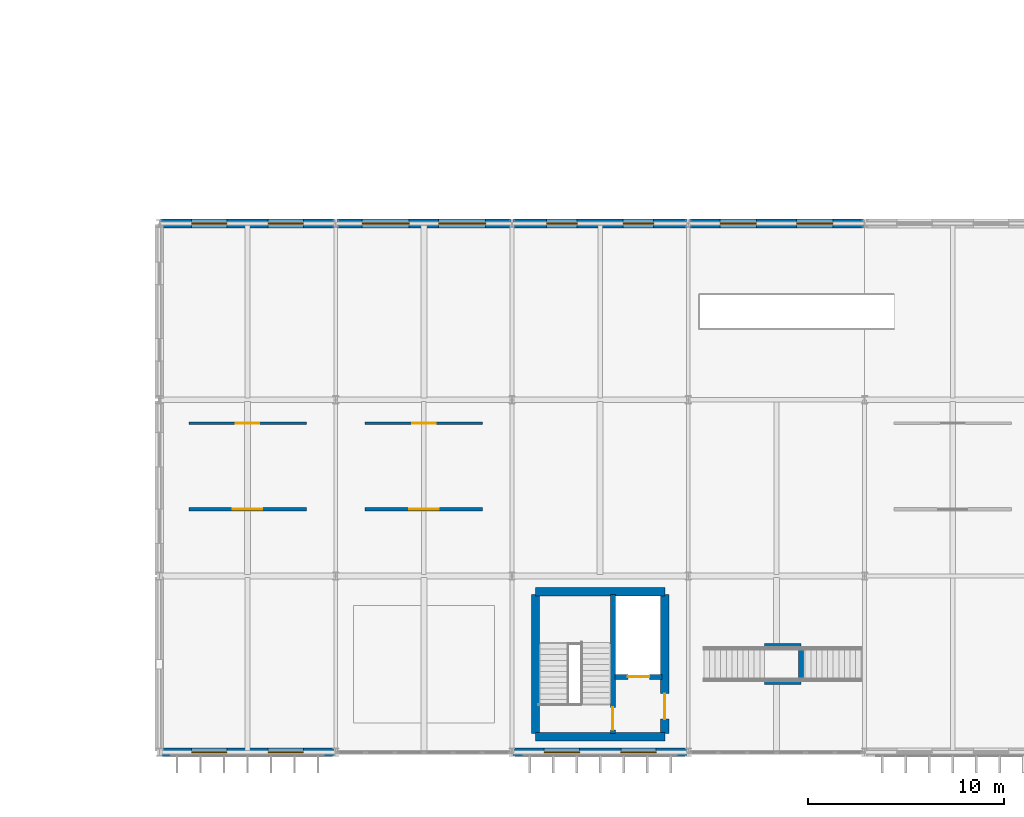
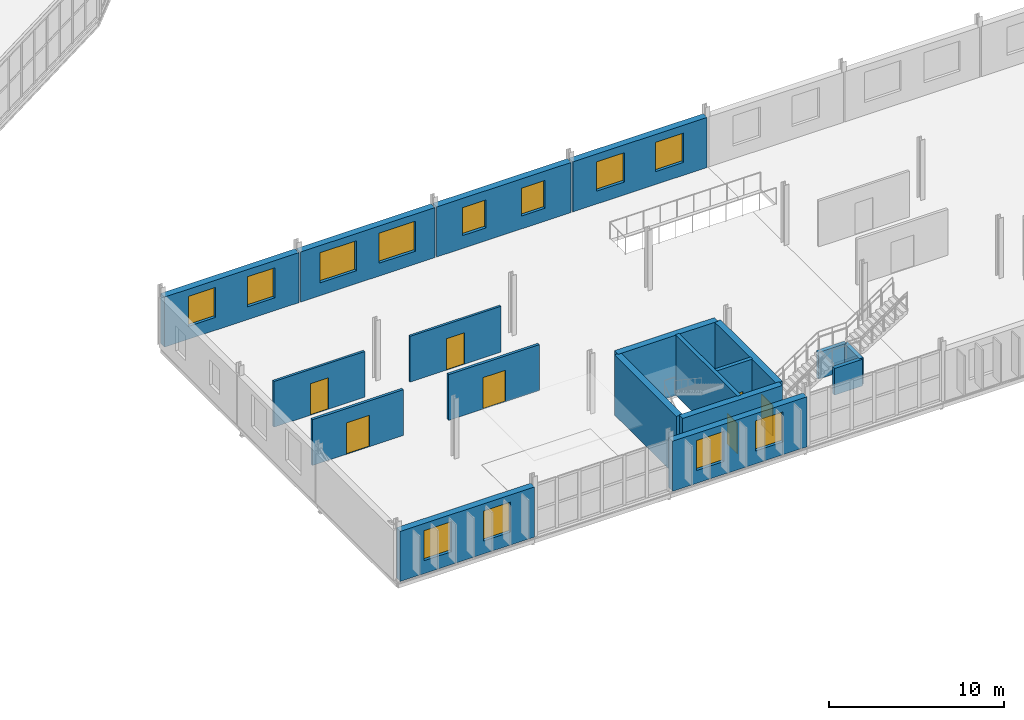
# One storey, part 139 of 161: 19 walls, 12 windows, 7 doors, 19 openings.
"""IFC4 building model written with IfcOpenShell, lengths in metres."""

import ifcopenshell
import ifcopenshell.guid

model = None  # the IFC model being written
_history = None  # IfcOwnerHistory: only IFC2X3 demands one
_inside = {}  # id of a spatial element -> (the spatial element, [elements in it])
_under = {}  # id of a project, library or spatial element -> (it, [spatial elements below it])
_declared = {}  # id of a project -> (the project, [libraries it declares])
_typed = {}  # id of a type object -> (the type object, [elements of that type])
_made_of = {}  # id of a material, layer set ... -> (it, [elements and type objects made of it])


def new_model(schema):
    """Start an empty IFC model of exactly this schema.

    Asked for "IFC4X3", IfcOpenShell would pick the latest addendum, in which some entities
    have other attributes; the version numbers below select the first issue.
    IFC2X3 requires an IfcOwnerHistory on every rooted entity: one is made here for all.
    """
    global model, _history
    if schema == "IFC4X3":
        model = ifcopenshell.file(schema_version=(4, 3, 0, 0))
    else:
        model = ifcopenshell.file(schema=schema)
    _inside.clear()
    _under.clear()
    _declared.clear()
    _typed.clear()
    _made_of.clear()
    _history = None
    if model.schema == "IFC2X3":
        org = make("IfcOrganization", Name="unknown")
        user = make(
            "IfcPersonAndOrganization",
            ThePerson=make("IfcPerson", FamilyName="unknown"),
            TheOrganization=org,
        )
        app = make(
            "IfcApplication",
            ApplicationDeveloper=org,
            Version="unknown",
            ApplicationFullName="unknown",
            ApplicationIdentifier="unknown",
        )
        _history = make(
            "IfcOwnerHistory",
            OwningUser=user,
            OwningApplication=app,
            ChangeAction="ADDED",
            CreationDate=0,
        )
    return model


def make(cls, **values):
    """One entity of the class cls with the attributes given. An attribute that is None is left unset."""
    return model.create_entity(
        cls, **{name: value for name, value in values.items() if value is not None}
    )


def rooted(cls, **values):
    """An entity with a GlobalId (a new one), such as an element, a storey or a relation."""
    return make(cls, GlobalId=ifcopenshell.guid.new(), OwnerHistory=_history, **values)


def si_unit(unit_type, name, prefix=None):
    """IfcSIUnit, for example si_unit("LENGTHUNIT", "METRE", prefix="MILLI")."""
    return make("IfcSIUnit", UnitType=unit_type, Prefix=prefix, Name=name)


def assignment(units):
    """IfcUnitAssignment: the units of a project."""
    return None if units is None else make("IfcUnitAssignment", Units=units)


def point(xyz):
    """IfcCartesianPoint."""
    return None if xyz is None else make("IfcCartesianPoint", Coordinates=xyz)


def direction(xyz):
    """IfcDirection."""
    return None if xyz is None else make("IfcDirection", DirectionRatios=xyz)


def frame(location, z_axis=None, x_axis=None):
    """IfcAxis2Placement3D, a coordinate frame: its origin and axes. An axis left out is left unset."""
    return make(
        "IfcAxis2Placement3D",
        Location=point(location),
        Axis=direction(z_axis),
        RefDirection=direction(x_axis),
    )


def frame_2d(location, x_axis=None):
    """IfcAxis2Placement2D, a coordinate frame in the plane: its origin and x axis."""
    return make(
        "IfcAxis2Placement2D", Location=point(location), RefDirection=direction(x_axis)
    )


def origin():
    """The frame at (0, 0, 0) with its axes left unset."""
    return frame((0.0, 0.0, 0.0))


def place(relative_to, where):
    """IfcLocalPlacement: puts the frame where relative to a parent placement (None: the world)."""
    return make(
        "IfcLocalPlacement", PlacementRelTo=relative_to, RelativePlacement=where
    )


def context(
    kind, dimensions, precision=None, world=None, true_north=None, identifier=None
):
    """IfcGeometricRepresentationContext, for example the 3D "Model" context."""
    return make(
        "IfcGeometricRepresentationContext",
        ContextIdentifier=identifier,
        ContextType=kind,
        CoordinateSpaceDimension=dimensions,
        Precision=precision,
        WorldCoordinateSystem=world,
        TrueNorth=true_north,
    )


def subcontext(parent, identifier, kind, view, scale=None):
    """IfcGeometricRepresentationSubContext, for example "Body" below "Model"."""
    return make(
        "IfcGeometricRepresentationSubContext",
        ContextIdentifier=identifier,
        ContextType=kind,
        ParentContext=parent,
        TargetScale=scale,
        TargetView=view,
    )


def project(units=None, contexts=None):
    """IfcProject with its units and contexts."""
    return rooted(
        "IfcProject",
        Name="project",
        RepresentationContexts=contexts,
        UnitsInContext=assignment(units),
    )


def spatial(cls, under=None, at=None, **own):
    """A site, building, storey or space (cls), placed at a placement, below another one or the project."""
    s = rooted(cls, ObjectPlacement=at, **own)
    if under is not None:
        _under.setdefault(under.id(), (under, []))[1].append(s)
    return s


def profile(cls, at=None, kind="AREA", **sizes):
    """A parametric profile (cls). Its sizes go by their IFC names, for example OverallWidth=200.0."""
    return make(cls, ProfileType=kind, Position=at, **sizes)


def rectangle(**sizes):
    """IfcRectangleProfileDef."""
    return profile("IfcRectangleProfileDef", **sizes)


def extrude(swept, where, along, depth):
    """IfcExtrudedAreaSolid: the profile swept, set in the frame where, extruded along a direction by depth."""
    return make(
        "IfcExtrudedAreaSolid",
        SweptArea=swept,
        Position=where,
        ExtrudedDirection=direction(along),
        Depth=depth,
    )


def shape(context_of_items, identifier, shape_type, items):
    """IfcShapeRepresentation: the items that make up one representation, for example the "Body"."""
    return make(
        "IfcShapeRepresentation",
        ContextOfItems=context_of_items,
        RepresentationIdentifier=identifier,
        RepresentationType=shape_type,
        Items=items,
    )


def material(Name=None, Category=None):
    """IfcMaterial."""
    return make("IfcMaterial", Name=Name, Category=Category)


def layer(
    of_material, thickness, ventilated=None, Name=None, Category=None, Priority=None
):
    """IfcMaterialLayer: one layer of a wall or slab, of a material (None: an air gap)."""
    return make(
        "IfcMaterialLayer",
        Material=of_material,
        LayerThickness=thickness,
        IsVentilated=ventilated,
        Name=Name,
        Category=Category,
        Priority=Priority,
    )


def layer_set(layers, Name=None):
    """IfcMaterialLayerSet."""
    return make("IfcMaterialLayerSet", MaterialLayers=layers, LayerSetName=Name)


def made_of(thing, what):
    """Note that an element or type object is made of a material, layer set ...; save() writes the relation."""
    if what is not None:
        _made_of.setdefault(what.id(), (what, []))[1].append(thing)
    return thing


def type_object(cls, material=None, **own):
    """A type object (cls), such as IfcWallType, which elements share."""
    return made_of(rooted(cls, **own), material)


def element(
    cls,
    number,
    at=None,
    inside=None,
    cuts=None,
    type_object=None,
    material=None,
    context=None,
    identifier="Body",
    shape_type=None,
    held_by="IfcProductDefinitionShape",
    body=None,
    shapes=None,
    **own,
):
    """One element of the class cls, such as IfcWall. Its Tag is "e" and its number.

    at: its placement. inside: the storey or other place that contains it. cuts: it is an
    opening in that element (IfcRelVoidsElement). A single representation is given by context,
    identifier, shape_type and body (its items); several are given by shapes. held_by: the class
    of the entity that holds the representations. save() writes the other relations.
    """
    e = rooted(cls, Tag="e%d" % number, ObjectPlacement=at, **own)
    if body is not None:
        shapes = [shape(context, identifier, shape_type, body)]
    if shapes is not None:
        e.Representation = make(held_by, Representations=shapes)
    if inside is not None:
        _inside.setdefault(inside.id(), (inside, []))[1].append(e)
    if cuts is not None:
        rooted(
            "IfcRelVoidsElement", RelatingBuildingElement=cuts, RelatedOpeningElement=e
        )
    if type_object is not None:
        _typed.setdefault(type_object.id(), (type_object, []))[1].append(e)
    return made_of(e, material)


def fill(opening, filler):
    """IfcRelFillsElement: the door or window that sits in an opening."""
    return rooted(
        "IfcRelFillsElement",
        RelatingOpeningElement=opening,
        RelatedBuildingElement=filler,
    )


def aggregate(whole, parts):
    """IfcRelAggregates: a whole, such as a stair, and the parts it consists of."""
    return rooted("IfcRelAggregates", RelatingObject=whole, RelatedObjects=parts)


def save(model, path):
    """Write the relations noted so far, then the file.

    IfcRelAggregates (storeys below a building ...), IfcRelContainedInSpatialStructure (elements
    in a storey), IfcRelDefinesByType, IfcRelAssociatesMaterial and IfcRelDeclares: one each for
    every whole, place, type object, material and project.
    """
    for whole, parts in _under.values():
        aggregate(whole, parts)
    for where, things in _inside.values():
        rooted(
            "IfcRelContainedInSpatialStructure",
            RelatedElements=things,
            RelatingStructure=where,
        )
    for kind, things in _typed.values():
        rooted("IfcRelDefinesByType", RelatedObjects=things, RelatingType=kind)
    for what, things in _made_of.values():
        rooted("IfcRelAssociatesMaterial", RelatedObjects=things, RelatingMaterial=what)
    for by, libraries in _declared.values():
        rooted("IfcRelDeclares", RelatingContext=by, RelatedDefinitions=libraries)
    model.write(path)


model = new_model("IFC4")

# Units and contexts
model_context = context("Model", 3, precision=1e-05, world=origin(), true_north=direction((0.0, 1.0)))
body_context = subcontext(model_context, "Body", "Model", "MODEL_VIEW")
ifc_project = project(units=[si_unit("LENGTHUNIT", "METRE"), si_unit("AREAUNIT", "SQUARE_METRE"), si_unit("VOLUMEUNIT", "CUBIC_METRE"), si_unit("PLANEANGLEUNIT", "RADIAN"), si_unit("MASSUNIT", "GRAM", prefix="KILO")], contexts=[model_context])

# Site, building, storey
site_placement = place(None, origin())
site = spatial("IfcSite", under=ifc_project, at=site_placement, CompositionType="ELEMENT")
building_placement = place(site_placement, origin())
building = spatial("IfcBuilding", under=site, at=building_placement, Name="Kildeholm Park Wholesale Market", CompositionType="ELEMENT")
storey_placement = place(building_placement, frame((0.0, 0.0, 5.39990234375)))
storey = spatial("IfcBuildingStorey", under=building, at=storey_placement, Name="L01", CompositionType="ELEMENT", Elevation=5.39990234375)

# Wall, openings, windows
ifc_material_1 = material(Name="Insulated clinker brick and glazed ceramic mosaic facade wall", Category="masonry")
ifc_layer_1 = layer(ifc_material_1, 0.43994140625)
ifc_layer_set_1 = layer_set([ifc_layer_1], Name="Insulated clinker brick and glazed ceramic mosaic facade wall")
wall_type_1 = type_object("IfcWallType", Name="Exterior wall W-EX3 440 mm", PredefinedType="SOLIDWALL", material=ifc_layer_set_1)
wall_1_placement = place(storey_placement, frame((126.06005859375, 0.0, 0.0), z_axis=(0.0, 0.0, 1.0), x_axis=(1.0, 0.0, 0.0)))
wall_1 = element("IfcWall", 1, at=wall_1_placement, inside=storey, type_object=wall_type_1, Name="Exterior wall V5E-L01-S01.1 WL-0593", PredefinedType="SOLIDWALL", context=body_context, shape_type="SweptSolid", body=[
    extrude(rectangle(XDim=8.8798828125, YDim=0.43994140625, at=frame_2d((4.43994140625, 0.0))), origin(), (0.0, 0.0, 1.0), 3.5),
])
opening_1_placement = place(wall_1_placement, frame((1.5859375, 0.0, 0.89990234375)))
opening_1 = element("IfcOpeningElement", 2, at=opening_1_placement, cuts=wall_1, Name="Opening WN-02", PredefinedType="OPENING", context=body_context, shape_type="SweptSolid", body=[
    extrude(rectangle(XDim=1.800048828125, YDim=2.10009765625, at=frame_2d((0.89990234375, 1.050048828125))), frame((0.0, 0.22998046875, 0.0), z_axis=(0.0, -1.0, 0.0), x_axis=(1.0, 0.0, 0.0)), (0.0, 0.0, 1.0), 0.4599609375),
])
opening_2_placement = place(wall_1_placement, frame((5.493896484375, 0.0, 0.89990234375)))
opening_2 = element("IfcOpeningElement", 3, at=opening_2_placement, cuts=wall_1, Name="Opening WN-02", PredefinedType="OPENING", context=body_context, shape_type="SweptSolid", body=[
    extrude(rectangle(XDim=1.800048828125, YDim=2.10009765625, at=frame_2d((0.89990234375, 1.050048828125))), frame((0.0, 0.22998046875, 0.0), z_axis=(0.0, -1.0, 0.0), x_axis=(1.0, 0.0, 0.0)), (0.0, 0.0, 1.0), 0.4599609375),
])
ifc_material_2 = material(Name="Thermally broken aluminium and triple-glazed low-E glass", Category="aluminium")
window_type_1 = type_object("IfcWindowType", Name="Window WN-02 1800x2100", PartitioningType="DOUBLE_PANEL_VERTICAL", PredefinedType="WINDOW", material=ifc_material_2)
window_1_placement = place(opening_1_placement, origin())
window_1 = element("IfcWindow", 4, at=window_1_placement, inside=storey, type_object=window_type_1, Name="Window V5E-L01-S01.1.1 WIN-0380", OverallHeight=2.10009765625, OverallWidth=1.800048828125, PartitioningType="SINGLE_PANEL", PredefinedType="WINDOW", context=body_context, shape_type="SweptSolid", body=[
    extrude(rectangle(XDim=1.800048828125, YDim=2.10009765625, at=frame_2d((0.89990234375, 1.050048828125))), frame((0.0, 0.030029296875, 0.0), z_axis=(0.0, -1.0, 0.0), x_axis=(1.0, 0.0, 0.0)), (0.0, 0.0, 1.0), 0.06005859375),
])
fill(opening_1, window_1)
window_2_placement = place(opening_2_placement, origin())
window_2 = element("IfcWindow", 5, at=window_2_placement, inside=storey, type_object=window_type_1, Name="Window V5E-L01-S01.1.2 WIN-0381", OverallHeight=2.10009765625, OverallWidth=1.800048828125, PartitioningType="SINGLE_PANEL", PredefinedType="WINDOW", context=body_context, shape_type="SweptSolid", body=[
    extrude(rectangle(XDim=1.800048828125, YDim=2.10009765625, at=frame_2d((0.89990234375, 1.050048828125))), frame((0.0, 0.030029296875, 0.0), z_axis=(0.0, -1.0, 0.0), x_axis=(1.0, 0.0, 0.0)), (0.0, 0.0, 1.0), 0.06005859375),
])
fill(opening_2, window_2)

wall_2_placement = place(storey_placement, frame((144.06005859375, 0.0, 0.0), z_axis=(0.0, 0.0, 1.0), x_axis=(1.0, 0.0, 0.0)))
wall_2 = element("IfcWall", 6, at=wall_2_placement, inside=storey, type_object=wall_type_1, Name="Exterior wall V5E-L01-S03.1 WL-0594", PredefinedType="SOLIDWALL", context=body_context, shape_type="SweptSolid", body=[
    extrude(rectangle(XDim=8.8798828125, YDim=0.43994140625, at=frame_2d((4.43994140625, 0.0))), origin(), (0.0, 0.0, 1.0), 3.5),
])
opening_3_placement = place(wall_2_placement, frame((1.5859375, 0.0, 0.89990234375)))
opening_3 = element("IfcOpeningElement", 7, at=opening_3_placement, cuts=wall_2, Name="Opening WN-02", PredefinedType="OPENING", context=body_context, shape_type="SweptSolid", body=[
    extrude(rectangle(XDim=1.800048828125, YDim=2.10009765625, at=frame_2d((0.89990234375, 1.050048828125))), frame((0.0, 0.22998046875, 0.0), z_axis=(0.0, -1.0, 0.0), x_axis=(1.0, 0.0, 0.0)), (0.0, 0.0, 1.0), 0.4599609375),
])
opening_4_placement = place(wall_2_placement, frame((5.493896484375, 0.0, 0.89990234375)))
opening_4 = element("IfcOpeningElement", 8, at=opening_4_placement, cuts=wall_2, Name="Opening WN-02", PredefinedType="OPENING", context=body_context, shape_type="SweptSolid", body=[
    extrude(rectangle(XDim=1.800048828125, YDim=2.10009765625, at=frame_2d((0.89990234375, 1.050048828125))), frame((0.0, 0.22998046875, 0.0), z_axis=(0.0, -1.0, 0.0), x_axis=(1.0, 0.0, 0.0)), (0.0, 0.0, 1.0), 0.4599609375),
])
window_3_placement = place(opening_3_placement, origin())
window_3 = element("IfcWindow", 9, at=window_3_placement, inside=storey, type_object=window_type_1, Name="Window V5E-L01-S03.1.1 WIN-0382", OverallHeight=2.10009765625, OverallWidth=1.800048828125, PartitioningType="SINGLE_PANEL", PredefinedType="WINDOW", context=body_context, shape_type="SweptSolid", body=[
    extrude(rectangle(XDim=1.800048828125, YDim=2.10009765625, at=frame_2d((0.89990234375, 1.050048828125))), frame((0.0, 0.030029296875, 0.0), z_axis=(0.0, -1.0, 0.0), x_axis=(1.0, 0.0, 0.0)), (0.0, 0.0, 1.0), 0.06005859375),
])
fill(opening_3, window_3)
window_4_placement = place(opening_4_placement, origin())
window_4 = element("IfcWindow", 10, at=window_4_placement, inside=storey, type_object=window_type_1, Name="Window V5E-L01-S03.1.2 WIN-0383", OverallHeight=2.10009765625, OverallWidth=1.800048828125, PartitioningType="SINGLE_PANEL", PredefinedType="WINDOW", context=body_context, shape_type="SweptSolid", body=[
    extrude(rectangle(XDim=1.800048828125, YDim=2.10009765625, at=frame_2d((0.89990234375, 1.050048828125))), frame((0.0, 0.030029296875, 0.0), z_axis=(0.0, -1.0, 0.0), x_axis=(1.0, 0.0, 0.0)), (0.0, 0.0, 1.0), 0.06005859375),
])
fill(opening_4, window_4)

wall_3_placement = place(storey_placement, frame((126.06005859375, 27.0, 0.0), z_axis=(0.0, 0.0, 1.0), x_axis=(1.0, 0.0, 0.0)))
wall_3 = element("IfcWall", 11, at=wall_3_placement, inside=storey, type_object=wall_type_1, Name="Exterior wall V5E-L01-N.1 WL-0597", PredefinedType="SOLIDWALL", context=body_context, shape_type="SweptSolid", body=[
    extrude(rectangle(XDim=8.8798828125, YDim=0.43994140625, at=frame_2d((4.43994140625, 0.0))), origin(), (0.0, 0.0, 1.0), 3.5),
])
opening_5_placement = place(wall_3_placement, frame((1.5859375, 0.0, 0.89990234375)))
opening_5 = element("IfcOpeningElement", 12, at=opening_5_placement, cuts=wall_3, Name="Opening WN-02", PredefinedType="OPENING", context=body_context, shape_type="SweptSolid", body=[
    extrude(rectangle(XDim=1.800048828125, YDim=2.10009765625, at=frame_2d((0.89990234375, 1.050048828125))), frame((0.0, 0.22998046875, 0.0), z_axis=(0.0, -1.0, 0.0), x_axis=(1.0, 0.0, 0.0)), (0.0, 0.0, 1.0), 0.4599609375),
])
opening_6_placement = place(wall_3_placement, frame((5.493896484375, 0.0, 0.89990234375)))
opening_6 = element("IfcOpeningElement", 13, at=opening_6_placement, cuts=wall_3, Name="Opening WN-02", PredefinedType="OPENING", context=body_context, shape_type="SweptSolid", body=[
    extrude(rectangle(XDim=1.800048828125, YDim=2.10009765625, at=frame_2d((0.89990234375, 1.050048828125))), frame((0.0, 0.22998046875, 0.0), z_axis=(0.0, -1.0, 0.0), x_axis=(1.0, 0.0, 0.0)), (0.0, 0.0, 1.0), 0.4599609375),
])
window_5_placement = place(opening_5_placement, origin())
window_5 = element("IfcWindow", 14, at=window_5_placement, inside=storey, type_object=window_type_1, Name="Window V5E-L01-N.1.1 WIN-0388", OverallHeight=2.10009765625, OverallWidth=1.800048828125, PartitioningType="SINGLE_PANEL", PredefinedType="WINDOW", context=body_context, shape_type="SweptSolid", body=[
    extrude(rectangle(XDim=1.800048828125, YDim=2.10009765625, at=frame_2d((0.89990234375, 1.050048828125))), frame((0.0, 0.030029296875, 0.0), z_axis=(0.0, -1.0, 0.0), x_axis=(1.0, 0.0, 0.0)), (0.0, 0.0, 1.0), 0.06005859375),
])
fill(opening_5, window_5)
window_6_placement = place(opening_6_placement, origin())
window_6 = element("IfcWindow", 15, at=window_6_placement, inside=storey, type_object=window_type_1, Name="Window V5E-L01-N.1.2 WIN-0389", OverallHeight=2.10009765625, OverallWidth=1.800048828125, PartitioningType="SINGLE_PANEL", PredefinedType="WINDOW", context=body_context, shape_type="SweptSolid", body=[
    extrude(rectangle(XDim=1.800048828125, YDim=2.10009765625, at=frame_2d((0.89990234375, 1.050048828125))), frame((0.0, 0.030029296875, 0.0), z_axis=(0.0, -1.0, 0.0), x_axis=(1.0, 0.0, 0.0)), (0.0, 0.0, 1.0), 0.06005859375),
])
fill(opening_6, window_6)

wall_4_placement = place(storey_placement, frame((135.06005859375, 27.0, 0.0), z_axis=(0.0, 0.0, 1.0), x_axis=(1.0, 0.0, 0.0)))
wall_4 = element("IfcWall", 16, at=wall_4_placement, inside=storey, type_object=wall_type_1, Name="Exterior wall V5E-L01-N.2 WL-0598", PredefinedType="SOLIDWALL", context=body_context, shape_type="SweptSolid", body=[
    extrude(rectangle(XDim=8.8798828125, YDim=0.43994140625, at=frame_2d((4.43994140625, 0.0))), origin(), (0.0, 0.0, 1.0), 3.5),
])
opening_7_placement = place(wall_4_placement, frame((1.285888671875, 0.0, 0.89990234375)))
opening_7 = element("IfcOpeningElement", 17, at=opening_7_placement, cuts=wall_4, Name="Opening WN-04", PredefinedType="OPENING", context=body_context, shape_type="SweptSolid", body=[
    extrude(rectangle(XDim=2.39990234375, YDim=2.10009765625, at=frame_2d((1.199951171875, 1.050048828125))), frame((0.0, 0.22998046875, 0.0), z_axis=(0.0, -1.0, 0.0), x_axis=(1.0, 0.0, 0.0)), (0.0, 0.0, 1.0), 0.4599609375),
])
opening_8_placement = place(wall_4_placement, frame((5.194091796875, 0.0, 0.89990234375)))
opening_8 = element("IfcOpeningElement", 18, at=opening_8_placement, cuts=wall_4, Name="Opening WN-04", PredefinedType="OPENING", context=body_context, shape_type="SweptSolid", body=[
    extrude(rectangle(XDim=2.39990234375, YDim=2.10009765625, at=frame_2d((1.199951171875, 1.050048828125))), frame((0.0, 0.22998046875, 0.0), z_axis=(0.0, -1.0, 0.0), x_axis=(1.0, 0.0, 0.0)), (0.0, 0.0, 1.0), 0.4599609375),
])
window_type_2 = type_object("IfcWindowType", Name="Window WN-04 2400x2100", PartitioningType="TRIPLE_PANEL_VERTICAL", PredefinedType="WINDOW", material=ifc_material_2)
window_7_placement = place(opening_7_placement, origin())
window_7 = element("IfcWindow", 19, at=window_7_placement, inside=storey, type_object=window_type_2, Name="Window V5E-L01-N.2.1 WIN-0390", OverallHeight=2.10009765625, OverallWidth=2.39990234375, PartitioningType="SINGLE_PANEL", PredefinedType="WINDOW", context=body_context, shape_type="SweptSolid", body=[
    extrude(rectangle(XDim=2.39990234375, YDim=2.10009765625, at=frame_2d((1.199951171875, 1.050048828125))), frame((0.0, 0.030029296875, 0.0), z_axis=(0.0, -1.0, 0.0), x_axis=(1.0, 0.0, 0.0)), (0.0, 0.0, 1.0), 0.06005859375),
])
fill(opening_7, window_7)
window_8_placement = place(opening_8_placement, origin())
window_8 = element("IfcWindow", 20, at=window_8_placement, inside=storey, type_object=window_type_2, Name="Window V5E-L01-N.2.2 WIN-0391", OverallHeight=2.10009765625, OverallWidth=2.39990234375, PartitioningType="SINGLE_PANEL", PredefinedType="WINDOW", context=body_context, shape_type="SweptSolid", body=[
    extrude(rectangle(XDim=2.39990234375, YDim=2.10009765625, at=frame_2d((1.199951171875, 1.050048828125))), frame((0.0, 0.030029296875, 0.0), z_axis=(0.0, -1.0, 0.0), x_axis=(1.0, 0.0, 0.0)), (0.0, 0.0, 1.0), 0.06005859375),
])
fill(opening_8, window_8)

wall_5_placement = place(storey_placement, frame((144.06005859375, 27.0, 0.0), z_axis=(0.0, 0.0, 1.0), x_axis=(1.0, 0.0, 0.0)))
wall_5 = element("IfcWall", 21, at=wall_5_placement, inside=storey, type_object=wall_type_1, Name="Exterior wall V5E-L01-N.3 WL-0599", PredefinedType="SOLIDWALL", context=body_context, shape_type="SweptSolid", body=[
    extrude(rectangle(XDim=8.8798828125, YDim=0.43994140625, at=frame_2d((4.43994140625, 0.0))), origin(), (0.0, 0.0, 1.0), 3.5),
])
opening_9_placement = place(wall_5_placement, frame((1.7109375, 0.0, 0.89990234375)))
opening_9 = element("IfcOpeningElement", 22, at=opening_9_placement, cuts=wall_5, Name="Opening WN-29", PredefinedType="OPENING", context=body_context, shape_type="SweptSolid", body=[
    extrude(rectangle(XDim=1.550048828125, YDim=1.949951171875, at=frame_2d((0.77490234375, 0.97509765625))), frame((0.0, 0.22998046875, 0.0), z_axis=(0.0, -1.0, 0.0), x_axis=(1.0, 0.0, 0.0)), (0.0, 0.0, 1.0), 0.4599609375),
])
opening_10_placement = place(wall_5_placement, frame((5.618896484375, 0.0, 0.89990234375)))
opening_10 = element("IfcOpeningElement", 23, at=opening_10_placement, cuts=wall_5, Name="Opening WN-29", PredefinedType="OPENING", context=body_context, shape_type="SweptSolid", body=[
    extrude(rectangle(XDim=1.550048828125, YDim=1.949951171875, at=frame_2d((0.77490234375, 0.97509765625))), frame((0.0, 0.22998046875, 0.0), z_axis=(0.0, -1.0, 0.0), x_axis=(1.0, 0.0, 0.0)), (0.0, 0.0, 1.0), 0.4599609375),
])
window_type_3 = type_object("IfcWindowType", Name="Window WN-29 1550x1950", PartitioningType="DOUBLE_PANEL_VERTICAL", PredefinedType="WINDOW", material=ifc_material_2)
window_9_placement = place(opening_9_placement, origin())
window_9 = element("IfcWindow", 24, at=window_9_placement, inside=storey, type_object=window_type_3, Name="Window V5E-L01-N.3.1 WIN-0392", OverallHeight=1.949951171875, OverallWidth=1.550048828125, PartitioningType="SINGLE_PANEL", PredefinedType="WINDOW", context=body_context, shape_type="SweptSolid", body=[
    extrude(rectangle(XDim=1.550048828125, YDim=1.949951171875, at=frame_2d((0.77490234375, 0.97509765625))), frame((0.0, 0.030029296875, 0.0), z_axis=(0.0, -1.0, 0.0), x_axis=(1.0, 0.0, 0.0)), (0.0, 0.0, 1.0), 0.06005859375),
])
fill(opening_9, window_9)
window_10_placement = place(opening_10_placement, origin())
window_10 = element("IfcWindow", 25, at=window_10_placement, inside=storey, type_object=window_type_3, Name="Window V5E-L01-N.3.2 WIN-0393", OverallHeight=1.949951171875, OverallWidth=1.550048828125, PartitioningType="SINGLE_PANEL", PredefinedType="WINDOW", context=body_context, shape_type="SweptSolid", body=[
    extrude(rectangle(XDim=1.550048828125, YDim=1.949951171875, at=frame_2d((0.77490234375, 0.97509765625))), frame((0.0, 0.030029296875, 0.0), z_axis=(0.0, -1.0, 0.0), x_axis=(1.0, 0.0, 0.0)), (0.0, 0.0, 1.0), 0.06005859375),
])
fill(opening_10, window_10)

wall_6_placement = place(storey_placement, frame((153.06005859375, 27.0, 0.0), z_axis=(0.0, 0.0, 1.0), x_axis=(1.0, 0.0, 0.0)))
wall_6 = element("IfcWall", 26, at=wall_6_placement, inside=storey, type_object=wall_type_1, Name="Exterior wall V5E-L01-N.4 WL-0600", PredefinedType="SOLIDWALL", context=body_context, shape_type="SweptSolid", body=[
    extrude(rectangle(XDim=8.8798828125, YDim=0.43994140625, at=frame_2d((4.43994140625, 0.0))), origin(), (0.0, 0.0, 1.0), 3.5),
])
opening_11_placement = place(wall_6_placement, frame((1.56103515625, 0.0, 0.89990234375)))
opening_11 = element("IfcOpeningElement", 27, at=opening_11_placement, cuts=wall_6, Name="Opening WN-30", PredefinedType="OPENING", context=body_context, shape_type="SweptSolid", body=[
    extrude(rectangle(XDim=1.85009765625, YDim=2.050048828125, at=frame_2d((0.925048828125, 1.02490234375))), frame((0.0, 0.22998046875, 0.0), z_axis=(0.0, -1.0, 0.0), x_axis=(1.0, 0.0, 0.0)), (0.0, 0.0, 1.0), 0.4599609375),
])
opening_12_placement = place(wall_6_placement, frame((5.468994140625, 0.0, 0.89990234375)))
opening_12 = element("IfcOpeningElement", 28, at=opening_12_placement, cuts=wall_6, Name="Opening WN-30", PredefinedType="OPENING", context=body_context, shape_type="SweptSolid", body=[
    extrude(rectangle(XDim=1.85009765625, YDim=2.050048828125, at=frame_2d((0.925048828125, 1.02490234375))), frame((0.0, 0.22998046875, 0.0), z_axis=(0.0, -1.0, 0.0), x_axis=(1.0, 0.0, 0.0)), (0.0, 0.0, 1.0), 0.4599609375),
])
window_type_4 = type_object("IfcWindowType", Name="Window WN-30 1850x2050", PartitioningType="DOUBLE_PANEL_VERTICAL", PredefinedType="WINDOW", material=ifc_material_2)
window_11_placement = place(opening_11_placement, origin())
window_11 = element("IfcWindow", 29, at=window_11_placement, inside=storey, type_object=window_type_4, Name="Window V5E-L01-N.4.1 WIN-0394", OverallHeight=2.050048828125, OverallWidth=1.85009765625, PartitioningType="SINGLE_PANEL", PredefinedType="WINDOW", context=body_context, shape_type="SweptSolid", body=[
    extrude(rectangle(XDim=1.85009765625, YDim=2.050048828125, at=frame_2d((0.925048828125, 1.02490234375))), frame((0.0, 0.030029296875, 0.0), z_axis=(0.0, -1.0, 0.0), x_axis=(1.0, 0.0, 0.0)), (0.0, 0.0, 1.0), 0.06005859375),
])
fill(opening_11, window_11)
window_12_placement = place(opening_12_placement, origin())
window_12 = element("IfcWindow", 30, at=window_12_placement, inside=storey, type_object=window_type_4, Name="Window V5E-L01-N.4.2 WIN-0395", OverallHeight=2.050048828125, OverallWidth=1.85009765625, PartitioningType="SINGLE_PANEL", PredefinedType="WINDOW", context=body_context, shape_type="SweptSolid", body=[
    extrude(rectangle(XDim=1.85009765625, YDim=2.050048828125, at=frame_2d((0.925048828125, 1.02490234375))), frame((0.0, 0.030029296875, 0.0), z_axis=(0.0, -1.0, 0.0), x_axis=(1.0, 0.0, 0.0)), (0.0, 0.0, 1.0), 0.06005859375),
])
fill(opening_12, window_12)

# Wall, opening, door
ifc_material_3 = material(Name="Fire-rated corridor and lobby partition")
ifc_layer_2 = layer(ifc_material_3, 0.14990234375)
ifc_layer_set_2 = layer_set([ifc_layer_2], Name="Fire-rated corridor and lobby partition")
wall_type_2 = type_object("IfcWallType", Name="Partition W-PT04 150 mm", PredefinedType="PARTITIONING", material=ifc_layer_set_2)
wall_7_placement = place(storey_placement, frame((127.5, 16.800048828125, 0.0), z_axis=(0.0, 0.0, 1.0), x_axis=(1.0, 0.0, 0.0)))
wall_7 = element("IfcWall", 31, at=wall_7_placement, inside=storey, type_object=wall_type_2, Name="Interior partition W-V5E-L01-CN1 WL-1037", PredefinedType="PARTITIONING", context=body_context, shape_type="SweptSolid", body=[
    extrude(rectangle(XDim=6.0, YDim=0.14990234375, at=frame_2d((3.0, 0.0))), origin(), (0.0, 0.0, 1.0), 3.2001953125),
])
opening_13_placement = place(wall_7_placement, frame((2.39990234375, 0.0, 0.0)))
opening_13 = element("IfcOpeningElement", 32, at=opening_13_placement, cuts=wall_7, Name="Opening D-IN11", PredefinedType="OPENING", context=body_context, shape_type="SweptSolid", body=[
    extrude(rectangle(XDim=1.199951171875, YDim=2.199951171875, at=frame_2d((0.60009765625, 1.10009765625))), frame((0.0, 0.0849609375, 0.0), z_axis=(0.0, -1.0, 0.0), x_axis=(1.0, 0.0, 0.0)), (0.0, 0.0, 1.0), 0.169921875),
])
ifc_material_4 = material(Name="Culinary workshop glazed doorset")
door_type_1 = type_object("IfcDoorType", Name="Interior door D-IN11 1200x2200", OperationType="NOTDEFINED", PredefinedType="DOOR", material=ifc_material_4)
door_1_placement = place(opening_13_placement, origin())
door_1 = element("IfcDoor", 33, at=door_1_placement, inside=storey, type_object=door_type_1, Name="Interior door V5E-L01-CN1 DR-0312 WL-1037", OperationType="SINGLE_SWING_RIGHT", OverallHeight=2.199951171875, OverallWidth=1.199951171875, PredefinedType="DOOR", context=body_context, shape_type="SweptSolid", body=[
    extrude(rectangle(XDim=1.199951171875, YDim=2.199951171875, at=frame_2d((0.60009765625, 1.10009765625))), frame((0.0, 0.02490234375, 0.0), z_axis=(0.0, -1.0, 0.0), x_axis=(1.0, 0.0, 0.0)), (0.0, 0.0, 1.0), 0.050048828125),
])
fill(opening_13, door_1)

wall_8_placement = place(storey_placement, frame((136.5, 16.800048828125, 0.0), z_axis=(0.0, 0.0, 1.0), x_axis=(1.0, 0.0, 0.0)))
wall_8 = element("IfcWall", 34, at=wall_8_placement, inside=storey, type_object=wall_type_2, Name="Interior partition W-V5E-L01-CN2 WL-1039", PredefinedType="PARTITIONING", context=body_context, shape_type="SweptSolid", body=[
    extrude(rectangle(XDim=6.0, YDim=0.14990234375, at=frame_2d((3.0, 0.0))), origin(), (0.0, 0.0, 1.0), 3.2001953125),
])
opening_14_placement = place(wall_8_placement, frame((2.39990234375, 0.0, 0.0)))
opening_14 = element("IfcOpeningElement", 35, at=opening_14_placement, cuts=wall_8, Name="Opening D-IN11", PredefinedType="OPENING", context=body_context, shape_type="SweptSolid", body=[
    extrude(rectangle(XDim=1.199951171875, YDim=2.199951171875, at=frame_2d((0.60009765625, 1.10009765625))), frame((0.0, 0.0849609375, 0.0), z_axis=(0.0, -1.0, 0.0), x_axis=(1.0, 0.0, 0.0)), (0.0, 0.0, 1.0), 0.169921875),
])
door_2_placement = place(opening_14_placement, origin())
door_2 = element("IfcDoor", 36, at=door_2_placement, inside=storey, type_object=door_type_1, Name="Interior door V5E-L01-CN2 DR-0314 WL-1039", OperationType="SINGLE_SWING_RIGHT", OverallHeight=2.199951171875, OverallWidth=1.199951171875, PredefinedType="DOOR", context=body_context, shape_type="SweptSolid", body=[
    extrude(rectangle(XDim=1.199951171875, YDim=2.199951171875, at=frame_2d((0.60009765625, 1.10009765625))), frame((0.0, 0.02490234375, 0.0), z_axis=(0.0, -1.0, 0.0), x_axis=(1.0, 0.0, 0.0)), (0.0, 0.0, 1.0), 0.050048828125),
])
fill(opening_14, door_2)

ifc_material_5 = material(Name="Commercial kitchen fire and hygiene wall")
ifc_layer_3 = layer(ifc_material_5, 0.175048828125)
ifc_layer_set_3 = layer_set([ifc_layer_3], Name="Commercial kitchen fire and hygiene wall")
wall_type_3 = type_object("IfcWallType", Name="Partition W-PT13 175 mm", PredefinedType="PARTITIONING", material=ifc_layer_set_3)
wall_9_placement = place(storey_placement, frame((127.5, 12.39990234375, 0.0), z_axis=(0.0, 0.0, 1.0), x_axis=(1.0, 0.0, 0.0)))
wall_9 = element("IfcWall", 37, at=wall_9_placement, inside=storey, type_object=wall_type_3, Name="Interior partition W-V5E-L01-CS1 WL-1036", PredefinedType="PARTITIONING", context=body_context, shape_type="SweptSolid", body=[
    extrude(rectangle(XDim=6.0, YDim=0.175048828125, at=frame_2d((3.0, 0.0))), origin(), (0.0, 0.0, 1.0), 3.2001953125),
])
opening_15_placement = place(wall_9_placement, frame((2.25, 0.0, 0.0)))
opening_15 = element("IfcOpeningElement", 38, at=opening_15_placement, cuts=wall_9, Name="Opening D-IN05", PredefinedType="OPENING", context=body_context, shape_type="SweptSolid", body=[
    extrude(rectangle(XDim=1.5, YDim=2.199951171875, at=frame_2d((0.75, 1.10009765625))), frame((0.0, 0.097412109375, 0.0), z_axis=(0.0, -1.0, 0.0), x_axis=(1.0, 0.0, 0.0)), (0.0, 0.0, 1.0), 0.195068359375),
])
ifc_material_6 = material(Name="Double-leaf canteen and kitchen doorset")
door_type_2 = type_object("IfcDoorType", Name="Interior door D-IN05 1500x2200", OperationType="NOTDEFINED", PredefinedType="DOOR", material=ifc_material_6)
door_3_placement = place(opening_15_placement, origin())
door_3 = element("IfcDoor", 39, at=door_3_placement, inside=storey, type_object=door_type_2, Name="Interior door V5E-L01-CS1 DR-0311 WL-1036", OperationType="DOUBLE_DOOR_SINGLE_SWING", OverallHeight=2.199951171875, OverallWidth=1.5, PredefinedType="DOOR", context=body_context, shape_type="SweptSolid", body=[
    extrude(rectangle(XDim=1.5, YDim=2.199951171875, at=frame_2d((0.75, 1.10009765625))), frame((0.0, 0.02490234375, 0.0), z_axis=(0.0, -1.0, 0.0), x_axis=(1.0, 0.0, 0.0)), (0.0, 0.0, 1.0), 0.050048828125),
])
fill(opening_15, door_3)

wall_10_placement = place(storey_placement, frame((136.5, 12.39990234375, 0.0), z_axis=(0.0, 0.0, 1.0), x_axis=(1.0, 0.0, 0.0)))
wall_10 = element("IfcWall", 40, at=wall_10_placement, inside=storey, type_object=wall_type_3, Name="Interior partition W-V5E-L01-CS2 WL-1038", PredefinedType="PARTITIONING", context=body_context, shape_type="SweptSolid", body=[
    extrude(rectangle(XDim=6.0, YDim=0.175048828125, at=frame_2d((3.0, 0.0))), origin(), (0.0, 0.0, 1.0), 3.2001953125),
])
opening_16_placement = place(wall_10_placement, frame((2.25, 0.0, 0.0)))
opening_16 = element("IfcOpeningElement", 41, at=opening_16_placement, cuts=wall_10, Name="Opening D-IN05", PredefinedType="OPENING", context=body_context, shape_type="SweptSolid", body=[
    extrude(rectangle(XDim=1.5, YDim=2.199951171875, at=frame_2d((0.75, 1.10009765625))), frame((0.0, 0.097412109375, 0.0), z_axis=(0.0, -1.0, 0.0), x_axis=(1.0, 0.0, 0.0)), (0.0, 0.0, 1.0), 0.195068359375),
])
door_4_placement = place(opening_16_placement, origin())
door_4 = element("IfcDoor", 42, at=door_4_placement, inside=storey, type_object=door_type_2, Name="Interior door V5E-L01-CS2 DR-0313 WL-1038", OperationType="DOUBLE_DOOR_SINGLE_SWING", OverallHeight=2.199951171875, OverallWidth=1.5, PredefinedType="DOOR", context=body_context, shape_type="SweptSolid", body=[
    extrude(rectangle(XDim=1.5, YDim=2.199951171875, at=frame_2d((0.75, 1.10009765625))), frame((0.0, 0.02490234375, 0.0), z_axis=(0.0, -1.0, 0.0), x_axis=(1.0, 0.0, 0.0)), (0.0, 0.0, 1.0), 0.050048828125),
])
fill(opening_16, door_4)

ifc_material_7 = material(Name="Concrete C40/50", Category="concrete")
ifc_layer_4 = layer(ifc_material_7, 0.25)
ifc_layer_set_4 = layer_set([ifc_layer_4], Name="Concrete C40/50")
wall_type_4 = type_object("IfcWallType", Name="Shear wall W-SH2 250 mm", PredefinedType="SHEAR", material=ifc_layer_set_4)
wall_11_placement = place(storey_placement, frame((149.14990234375, 0.949951171875, 0.0), z_axis=(0.0, 0.0, 1.0), x_axis=(0.0, 1.0, 0.0)))
wall_11 = element("IfcWall", 43, at=wall_11_placement, inside=storey, type_object=wall_type_4, Name="Core C06 shaft wall L01 WL-0758", PredefinedType="SHEAR", context=body_context, shape_type="SweptSolid", body=[
    extrude(rectangle(XDim=7.10009765625, YDim=0.25, at=frame_2d((3.550048828125, 0.0))), origin(), (0.0, 0.0, 1.0), 4.2001953125),
])
opening_17_placement = place(wall_11_placement, frame((0.199951171875, 0.0, 0.0)))
opening_17 = element("IfcOpeningElement", 44, at=opening_17_placement, cuts=wall_11, Name="Opening D-CR01", PredefinedType="OPENING", context=body_context, shape_type="SweptSolid", body=[
    extrude(rectangle(XDim=1.14990234375, YDim=2.14990234375, at=frame_2d((0.574951171875, 1.074951171875))), frame((0.0, 0.135009765625, 0.0), z_axis=(0.0, -1.0, 0.0), x_axis=(1.0, 0.0, 0.0)), (0.0, 0.0, 1.0), 0.27001953125),
])
ifc_material_8 = material(Name="Painted steel fire escape doorset", Category="steel")
door_type_3 = type_object("IfcDoorType", Name="Interior door D-CR01 1150x2150", OperationType="NOTDEFINED", PredefinedType="DOOR", material=ifc_material_8)
door_5_placement = place(opening_17_placement, frame((1.14990234375, 0.0, 0.0), z_axis=(0.0, 0.0, 1.0), x_axis=(-1.0, 0.0, 0.0)))
door_5 = element("IfcDoor", 45, at=door_5_placement, inside=storey, type_object=door_type_3, Name="Core C06 stair fire door L01 DR-0129 WL-0758", OperationType="SINGLE_SWING_RIGHT", OverallHeight=2.14990234375, OverallWidth=1.14990234375, PredefinedType="DOOR", context=body_context, shape_type="SweptSolid", body=[
    extrude(rectangle(XDim=1.14990234375, YDim=2.14990234375, at=frame_2d((0.574951171875, 1.074951171875))), frame((0.0, 0.02490234375, 0.0), z_axis=(0.0, -1.0, 0.0), x_axis=(1.0, 0.0, 0.0)), (0.0, 0.0, 1.0), 0.050048828125),
])
fill(opening_17, door_5)

wall_12_placement = place(storey_placement, frame((149.27001953125, 3.85009765625, 0.0), z_axis=(0.0, 0.0, 1.0), x_axis=(1.0, 0.0, 0.0)))
wall_12 = element("IfcWall", 46, at=wall_12_placement, inside=storey, type_object=wall_type_4, Name="Lift LF-02 shaft front wall L01 WL-0759", PredefinedType="SHEAR", context=body_context, shape_type="SweptSolid", body=[
    extrude(rectangle(XDim=2.3798828125, YDim=0.25, at=frame_2d((1.18994140625, 0.0))), origin(), (0.0, 0.0, 1.0), 4.2001953125),
])
opening_18_placement = place(wall_12_placement, frame((0.639892578125, 0.0, 0.0)))
opening_18 = element("IfcOpeningElement", 47, at=opening_18_placement, cuts=wall_12, Name="Opening LD-02", PredefinedType="OPENING", context=body_context, shape_type="SweptSolid", body=[
    extrude(rectangle(XDim=1.10009765625, YDim=2.14990234375, at=frame_2d((0.550048828125, 1.074951171875))), frame((0.0, 0.135009765625, 0.0), z_axis=(0.0, -1.0, 0.0), x_axis=(1.0, 0.0, 0.0)), (0.0, 0.0, 1.0), 0.27001953125),
])
ifc_material_9 = material(Name="Stainless steel AISI 316 passenger lift landing door", Category="steel")
door_type_4 = type_object("IfcDoorType", Name="Interior door D-LD01 1100x2150", OperationType="NOTDEFINED", PredefinedType="DOOR", material=ifc_material_9)
door_6_placement = place(opening_18_placement, origin())
door_6 = element("IfcDoor", 48, at=door_6_placement, inside=storey, type_object=door_type_4, Name="Lift LF-02 sliding landing door L01 DR-0130 WL-0759", OperationType="SLIDING_TO_LEFT", OverallHeight=2.14990234375, OverallWidth=1.10009765625, PredefinedType="DOOR", context=body_context, shape_type="SweptSolid", body=[
    extrude(rectangle(XDim=1.10009765625, YDim=2.14990234375, at=frame_2d((0.550048828125, 1.074951171875))), frame((0.0, 0.02490234375, 0.0), z_axis=(0.0, -1.0, 0.0), x_axis=(1.0, 0.0, 0.0)), (0.0, 0.0, 1.0), 0.050048828125),
])
fill(opening_18, door_6)

# Walls
for number, where, z_axis, x_axis, name in (
    (49, (156.89501953125, 3.580078125, 0.0), (0.0, 0.0, 1.0), (1.0, 0.0, 0.0), "Feature stair landing support wall ST-FT05-S WL-0929"),
    (50, (156.89501953125, 5.419921875, 0.0), (0.0, 0.0, 1.0), (1.0, 0.0, 0.0), "Feature stair landing support wall ST-FT05-N WL-0931"),
):
    element("IfcWall", number, at=place(storey_placement, frame(where, z_axis=z_axis, x_axis=x_axis)), inside=storey, type_object=wall_type_4, Name=name, PredefinedType="SHEAR", context=body_context, shape_type="SweptSolid", body=[
        extrude(rectangle(XDim=1.85009765625, YDim=0.25, at=frame_2d((0.925048828125, 0.0))), origin(), (0.0, 0.0, 1.0), 1.860107421875),
    ])
wall_13_placement = place(storey_placement, frame((158.7451171875, 3.580078125, 0.0), z_axis=(0.0, 0.0, 1.0), x_axis=(0.0, 1.0, 0.0)))
element("IfcWall", 51, at=wall_13_placement, inside=storey, type_object=wall_type_4, Name="Feature stair landing cross wall ST-FT05 WL-0933", PredefinedType="SHEAR", context=body_context, shape_type="SweptSolid", body=[
    extrude(rectangle(XDim=1.83984375, YDim=0.25, at=frame_2d((0.919921875, 0.0))), origin(), (0.0, 0.0, 1.0), 1.860107421875),
])
ifc_layer_5 = layer(ifc_material_7, 0.419921875)
ifc_layer_set_5 = layer_set([ifc_layer_5], Name="Concrete C40/50")
wall_type_5 = type_object("IfcWallType", Name="Shear wall W-SH4 420 mm", PredefinedType="SHEAR", material=ifc_layer_set_5)
for number, where, z_axis, x_axis, name in (
    (52, (145.199951171875, 0.800048828125, 0.0), (0.0, 0.0, 1.0), (1.0, 0.0, 0.0), "Core C06 south shear wall L01 WL-0754"),
    (53, (145.199951171875, 8.199951171875, 0.0), (0.0, 0.0, 1.0), (1.0, 0.0, 0.0), "Core C06 north shear wall L01 WL-0755"),
):
    element("IfcWall", number, at=place(storey_placement, frame(where, z_axis=z_axis, x_axis=x_axis)), inside=storey, type_object=wall_type_5, Name=name, PredefinedType="SHEAR", context=body_context, shape_type="SweptSolid", body=[
        extrude(rectangle(XDim=6.60009765625, YDim=0.419921875, at=frame_2d((3.300048828125, 0.0))), origin(), (0.0, 0.0, 1.0), 4.2001953125),
    ])
wall_14_placement = place(storey_placement, frame((145.199951171875, 0.949951171875, 0.0), z_axis=(0.0, 0.0, 1.0), x_axis=(0.0, 1.0, 0.0)))
element("IfcWall", 54, at=wall_14_placement, inside=storey, type_object=wall_type_5, Name="Core C06 west shear wall L01 WL-0756", PredefinedType="SHEAR", context=body_context, shape_type="SweptSolid", body=[
    extrude(rectangle(XDim=7.10009765625, YDim=0.419921875, at=frame_2d((3.550048828125, 0.0))), origin(), (0.0, 0.0, 1.0), 4.2001953125),
])

# Wall, opening, door
wall_15_placement = place(storey_placement, frame((151.800048828125, 0.949951171875, 0.0), z_axis=(0.0, 0.0, 1.0), x_axis=(0.0, 1.0, 0.0)))
wall_15 = element("IfcWall", 55, at=wall_15_placement, inside=storey, type_object=wall_type_5, Name="Core C06 east shear wall L01 WL-0757", PredefinedType="SHEAR", context=body_context, shape_type="SweptSolid", body=[
    extrude(rectangle(XDim=7.10009765625, YDim=0.419921875, at=frame_2d((3.550048828125, 0.0))), origin(), (0.0, 0.0, 1.0), 4.2001953125),
])
opening_19_placement = place(wall_15_placement, frame((0.75, 0.0, 0.0)))
opening_19 = element("IfcOpeningElement", 56, at=opening_19_placement, cuts=wall_15, Name="Opening D-CR02", PredefinedType="OPENING", context=body_context, shape_type="SweptSolid", body=[
    extrude(rectangle(XDim=1.300048828125, YDim=2.14990234375, at=frame_2d((0.64990234375, 1.074951171875))), frame((0.0, 0.219970703125, 0.0), z_axis=(0.0, -1.0, 0.0), x_axis=(1.0, 0.0, 0.0)), (0.0, 0.0, 1.0), 0.43994140625),
])
ifc_material_10 = material(Name="Painted steel core lobby double-leaf doorset", Category="steel")
door_type_5 = type_object("IfcDoorType", Name="Interior door D-CR02 1300x2150", OperationType="NOTDEFINED", PredefinedType="DOOR", material=ifc_material_10)
door_7_placement = place(opening_19_placement, frame((1.300048828125, 0.0, 0.0), z_axis=(0.0, 0.0, 1.0), x_axis=(-1.0, 0.0, 0.0)))
door_7 = element("IfcDoor", 57, at=door_7_placement, inside=storey, type_object=door_type_5, Name="Core C06 lobby entrance door L01 DR-0128 WL-0757", OperationType="DOUBLE_DOOR_SINGLE_SWING", OverallHeight=2.14990234375, OverallWidth=1.300048828125, PredefinedType="DOOR", context=body_context, shape_type="SweptSolid", body=[
    extrude(rectangle(XDim=1.300048828125, YDim=2.14990234375, at=frame_2d((0.64990234375, 1.074951171875))), frame((0.0, 0.02490234375, 0.0), z_axis=(0.0, -1.0, 0.0), x_axis=(1.0, 0.0, 0.0)), (0.0, 0.0, 1.0), 0.050048828125),
])
fill(opening_19, door_7)

save(model, "model.ifc")
